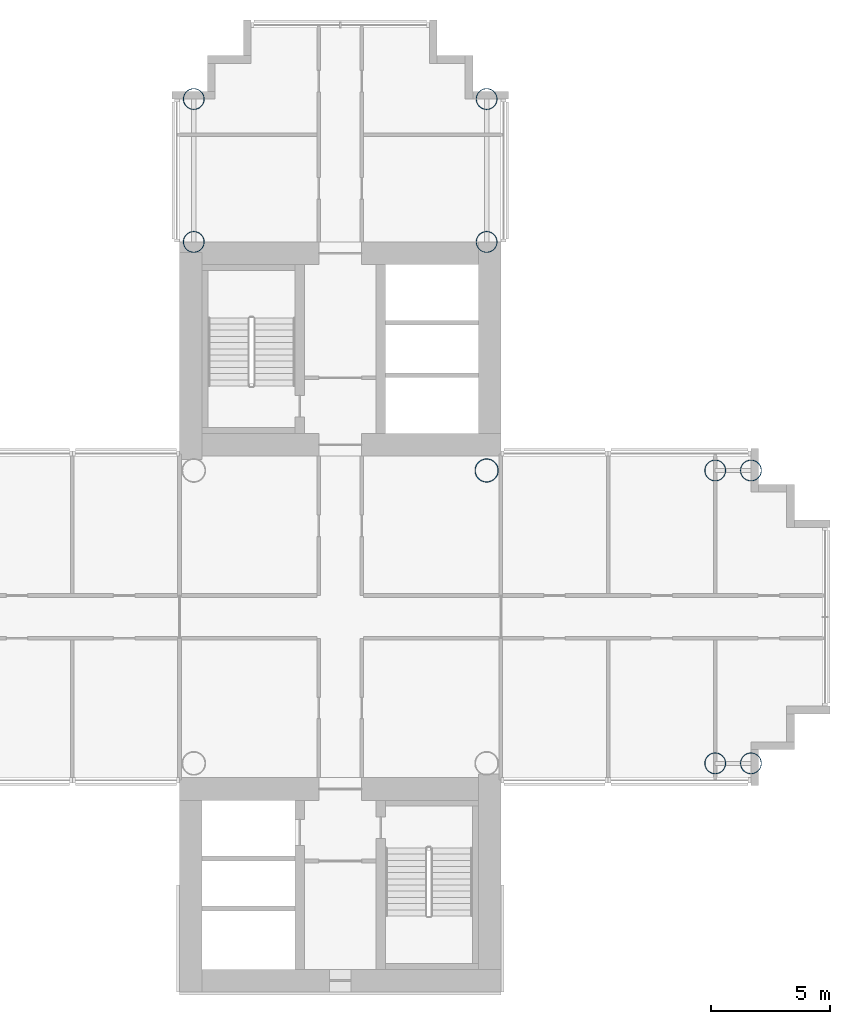
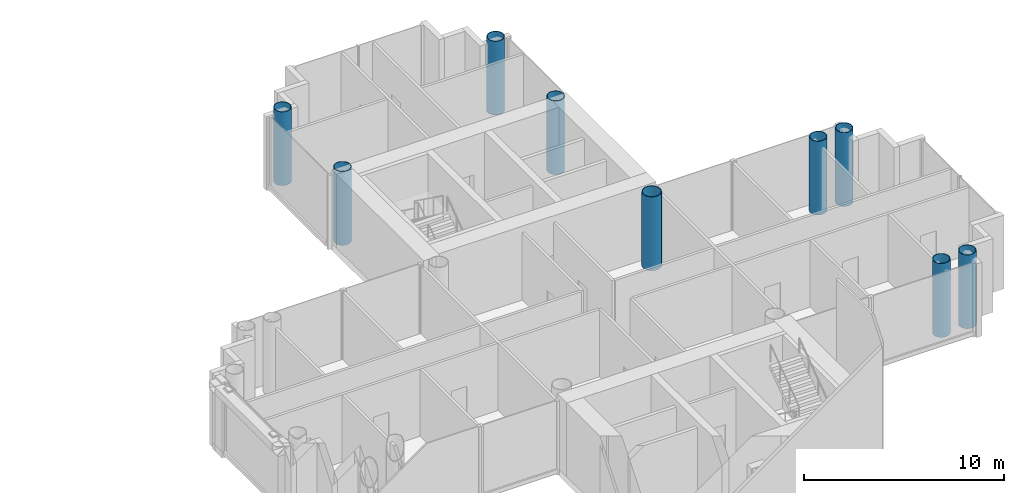
# One storey, part 2 of 20: 9 columns.
"""IFC4 building model written with IfcOpenShell, lengths in metres."""

from ifc_helpers import new_model, si_unit, direction, frame, origin, origin_2d, place, context, subcontext, project, spatial, hollow_circle, extrude, material, material_profile, profile_set, type_object, element, save


model = new_model("IFC4")

# Units and contexts
model_context = context("Model", 3, precision=1e-05, world=origin(), true_north=direction((0.0, 1.0)))
body_context = subcontext(model_context, "Body", "Model", "MODEL_VIEW")
ifc_project = project(units=[si_unit("LENGTHUNIT", "METRE"), si_unit("AREAUNIT", "SQUARE_METRE"), si_unit("VOLUMEUNIT", "CUBIC_METRE"), si_unit("PLANEANGLEUNIT", "RADIAN"), si_unit("MASSUNIT", "GRAM", prefix="KILO")], contexts=[model_context])

# Site, building, storey
site_placement = place(None, origin())
site = spatial("IfcSite", under=ifc_project, at=site_placement, CompositionType="ELEMENT")
building_placement = place(site_placement, origin())
building = spatial("IfcBuilding", under=site, at=building_placement, Name="Ipe Terrace Towers", CompositionType="ELEMENT")
storey_placement = place(building_placement, frame((0.0, 0.0, 124.199951171875)))
storey = spatial("IfcBuildingStorey", under=building, at=storey_placement, Name="L34", CompositionType="ELEMENT", Elevation=124.199951171875)

# Columns
ifc_material_1 = material(Name="Steel S355 tube with Concrete C60/75 fill", Category="concrete")
ifc_material_profile_1 = material_profile(ifc_material_1, hollow_circle(Radius=0.5, WallThickness=0.035888671875, at=origin_2d()), Name="CHS-1000x36")
ifc_profile_set_1 = profile_set([ifc_material_profile_1], Name="Steel S355 tube with Concrete C60/75 fill")
column_type_1 = type_object("IfcColumnType", Name="CH01 COLUMN CHS-1000x36", PredefinedType="COLUMN", material=ifc_profile_set_1)
column_placement = place(storey_placement, frame((42.14990234375, 6.14990234375, 0.0), z_axis=(0.0, 0.0, 1.0), x_axis=(1.0, 0.0, 0.0)))
element("IfcColumn", 1, at=column_placement, inside=storey, type_object=column_type_1, Name="Column T2-C-E02", PredefinedType="COLUMN", context=body_context, shape_type="SweptSolid", body=[
    extrude(hollow_circle(Radius=0.5, WallThickness=0.035888671875, at=origin_2d()), origin(), (0.0, 0.0, 1.0), 4.5),
])
ifc_material_2 = material(Name="Steel S355 tube with Concrete C60/75 fill", Category="concrete")
ifc_material_profile_2 = material_profile(ifc_material_2, hollow_circle(Radius=0.449951171875, WallThickness=0.031982421875, at=origin_2d()), Name="CHS-900x32")
ifc_profile_set_2 = profile_set([ifc_material_profile_2], Name="Steel S355 tube with Concrete C60/75 fill")
column_type_2 = type_object("IfcColumnType", Name="CH10 COLUMN CHS-900x32", PredefinedType="COLUMN", material=ifc_profile_set_2)
for number, where, z_axis, x_axis, name in (
    (2, (42.14990234375, 15.75, 0.0), (0.0, 0.0, 1.0), (1.0, 0.0, 0.0), "Column T2-C-A01"),
    (3, (29.85009765625, 15.75, 0.0), (0.0, 0.0, 1.0), (1.0, 0.0, 0.0), "Column T2-C-A02"),
    (4, (42.14990234375, 21.75, 0.0), (0.0, 0.0, 1.0), (1.0, 0.0, 0.0), "Column T2-C-A03"),
    (5, (29.85009765625, 21.75, 0.0), (0.0, 0.0, 1.0), (1.0, 0.0, 0.0), "Column T2-C-A04"),
    (6, (51.75, -6.14990234375, 0.0), (0.0, 0.0, 1.0), (1.0, 0.0, 0.0), "Column T2-C-D03"),
    (7, (51.75, 6.14990234375, 0.0), (0.0, 0.0, 1.0), (1.0, 0.0, 0.0), "Column T2-C-D04"),
    (8, (53.25, -6.14990234375, 0.0), (0.0, 0.0, 1.0), (1.0, 0.0, 0.0), "Column T2-C-D05"),
    (9, (53.25, 6.14990234375, 0.0), (0.0, 0.0, 1.0), (1.0, 0.0, 0.0), "Column T2-C-D06"),
):
    element("IfcColumn", number, at=place(storey_placement, frame(where, z_axis=z_axis, x_axis=x_axis)), inside=storey, type_object=column_type_2, Name=name, PredefinedType="COLUMN", context=body_context, shape_type="SweptSolid", body=[
        extrude(hollow_circle(Radius=0.449951171875, WallThickness=0.031982421875, at=origin_2d()), origin(), (0.0, 0.0, 1.0), 4.5),
    ])

save(model, "model.ifc")
